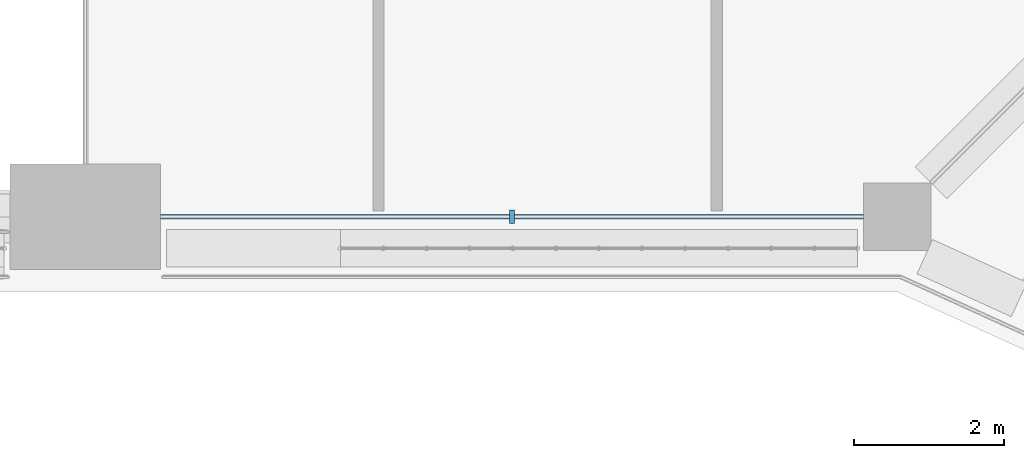
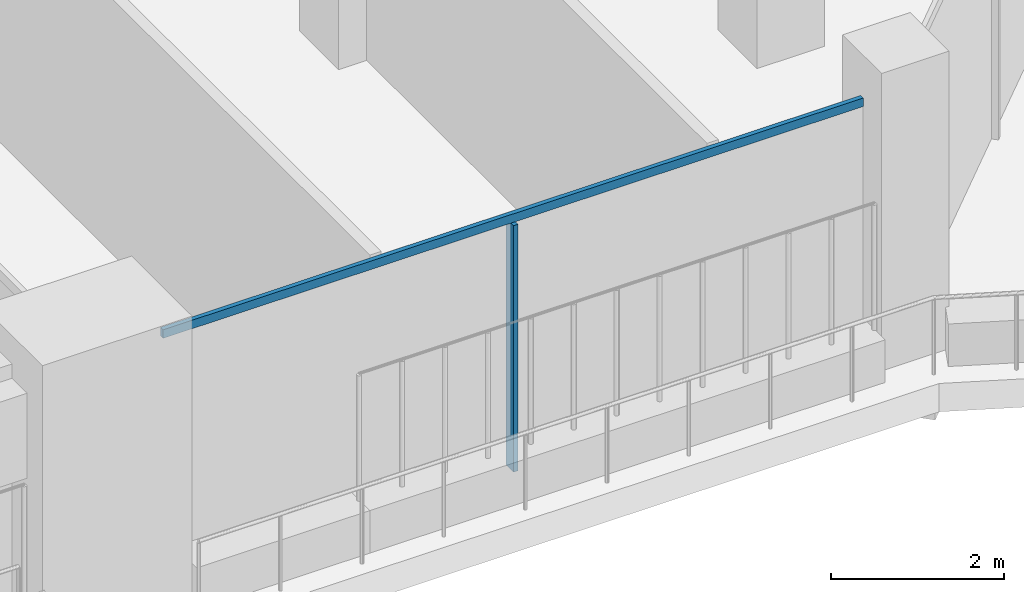
# One storey, part 5 of 23: 2 members, 1 element without a shape of its own.
"""IFC4 building model written with IfcOpenShell, lengths in metres."""

from ifc_helpers import new_model, si_unit, direction, frame, origin, origin_2d, place, context, subcontext, project, spatial, rectangle, extrude, material, layer, layer_set, material_profile, profile_set, type_object, element, aggregate, save


model = new_model("IFC4")

# Units and contexts
model_context = context("Model", 3, precision=1e-05, world=origin(), true_north=direction((0.0, 1.0)))
body_context = subcontext(model_context, "Body", "Model", "MODEL_VIEW")
ifc_project = project(units=[si_unit("LENGTHUNIT", "METRE"), si_unit("AREAUNIT", "SQUARE_METRE"), si_unit("VOLUMEUNIT", "CUBIC_METRE"), si_unit("PLANEANGLEUNIT", "RADIAN"), si_unit("MASSUNIT", "GRAM", prefix="KILO")], contexts=[model_context])

# Site, building, storey
site_placement = place(None, origin())
site = spatial("IfcSite", under=ifc_project, at=site_placement, CompositionType="ELEMENT")
building_placement = place(site_placement, origin())
building = spatial("IfcBuilding", under=site, at=building_placement, Name="Kawkab Arch Medical Tower", CompositionType="ELEMENT")
storey_placement = place(building_placement, frame((0.0, 0.0, 226.39990234375)))
storey = spatial("IfcBuildingStorey", under=building, at=storey_placement, Name="L52", CompositionType="ELEMENT", Elevation=226.39990234375)

# Curtain wall, members
ifc_material_1 = material(Name="Bronze anodised aluminium curtain wall frame", Category="aluminium")
ifc_layer = layer(ifc_material_1, 0.159912109375)
ifc_layer_set = layer_set([ifc_layer], Name="Bronze anodised aluminium curtain wall frame")
curtain_wall_type = type_object("IfcCurtainWallType", Name="CW1 ward curtain wall", PredefinedType="NOTDEFINED", material=ifc_layer_set)
curtain_wall_placement = place(storey_placement, origin())
curtain_wall = element("IfcCurtainWall", 1, at=curtain_wall_placement, inside=storey, type_object=curtain_wall_type, Name="CW1 Ward curtain wall R05", PredefinedType="NOTDEFINED")
ifc_material_2 = material(Name="Bronze anodised aluminium curtain wall frame", Category="aluminium")
ifc_material_profile_1 = material_profile(ifc_material_2, rectangle(XDim=0.179931640625, YDim=0.06005859375, at=origin_2d()), Name="AL 60x180")
ifc_profile_set_1 = profile_set([ifc_material_profile_1], Name="Bronze anodised aluminium curtain wall frame")
member_type_1 = type_object("IfcMemberType", Name="CW1 mullion 60 x 180", PredefinedType="MULLION", material=ifc_profile_set_1)
member_1_placement = place(storey_placement, frame((56.074951171875, -25.199951171875, 0.0), z_axis=(0.0, 0.0, 1.0), x_axis=(0.0, 1.0, 0.0)))
member_1 = element("IfcMember", 2, at=member_1_placement, type_object=member_type_1, Name="CW1 mullion 1.1", PredefinedType="MULLION", context=body_context, shape_type="SweptSolid", body=[
    extrude(rectangle(XDim=0.179931640625, YDim=0.06005859375, at=origin_2d()), origin(), (0.0, 0.0, 1.0), 3.47998046875),
])
ifc_material_3 = material(Name="Bronze anodised aluminium curtain wall frame", Category="aluminium")
ifc_material_profile_2 = material_profile(ifc_material_3, rectangle(XDim=0.06005859375, YDim=0.1201171875, at=origin_2d()), Name="AL 60x120")
ifc_profile_set_2 = profile_set([ifc_material_profile_2], Name="Bronze anodised aluminium curtain wall frame")
member_type_2 = type_object("IfcMemberType", Name="CW1 transom 120 x 60", PredefinedType="USERDEFINED", material=ifc_profile_set_2)
member_2_placement = place(storey_placement, frame((51.39990234375, -25.199951171875, 3.5400390625), z_axis=(1.0, 0.0, 0.0), x_axis=(0.0, 1.0, 0.0)))
member_2 = element("IfcMember", 3, at=member_2_placement, type_object=member_type_2, Name="CW1 transom 1", ObjectType="TRANSOM", PredefinedType="USERDEFINED", context=body_context, shape_type="SweptSolid", body=[
    extrude(rectangle(XDim=0.06005859375, YDim=0.1201171875, at=origin_2d()), origin(), (0.0, 0.0, 1.0), 9.35009765625),
])
aggregate(curtain_wall, [member_2, member_1])

save(model, "model.ifc")
